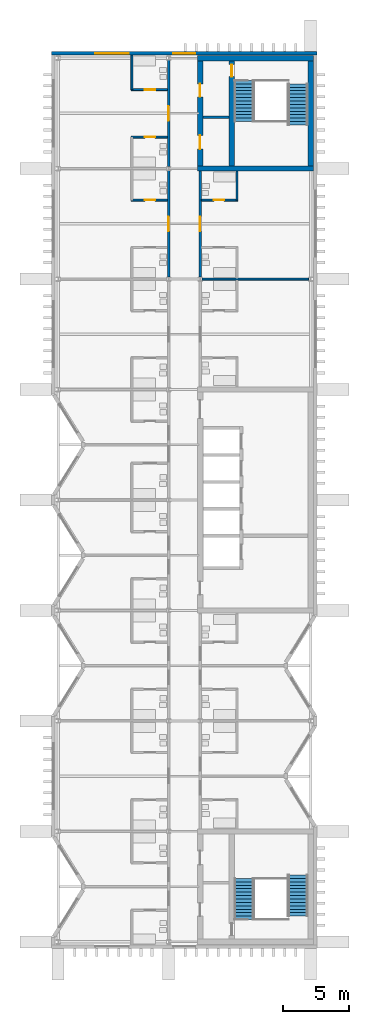
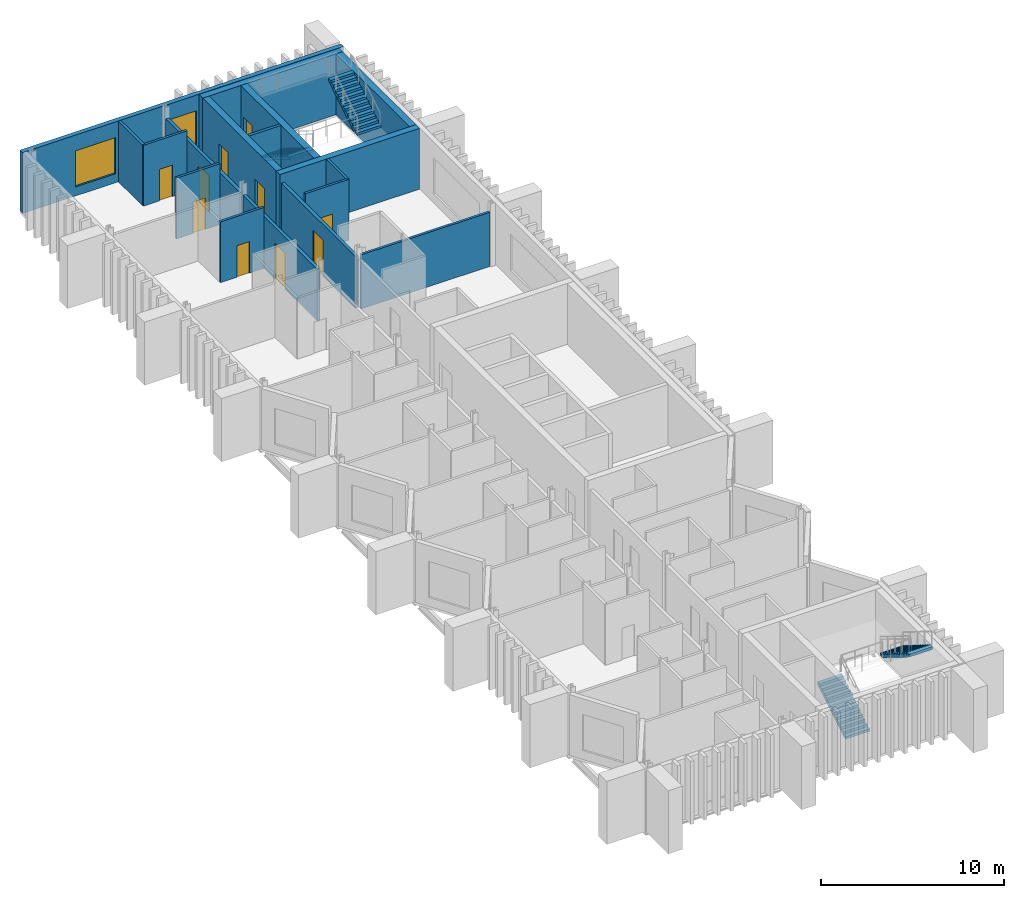
# One storey, part 8 of 10: 17 walls, 10 doors, 4 stair flights, 2 windows, 12 openings, 2 elements without a shape of their own.
"""IFC4 building model written with IfcOpenShell, lengths in metres."""

from ifc_helpers import new_model, si_unit, direction, frame, frame_2d, origin, place, context, subcontext, project, spatial, polyline, rectangle, outline, extrude, material, layer, layer_set, type_object, element, fill, aggregate, save


model = new_model("IFC4")

# Units and contexts
model_context = context("Model", 3, precision=1e-05, world=origin(), true_north=direction((0.0, 1.0)))
body_context = subcontext(model_context, "Body", "Model", "MODEL_VIEW")
ifc_project = project(units=[si_unit("LENGTHUNIT", "METRE"), si_unit("AREAUNIT", "SQUARE_METRE"), si_unit("VOLUMEUNIT", "CUBIC_METRE"), si_unit("PLANEANGLEUNIT", "RADIAN"), si_unit("MASSUNIT", "GRAM", prefix="KILO")], contexts=[model_context])

# Site, building, storey
site_placement = place(None, origin())
site = spatial("IfcSite", under=ifc_project, at=site_placement, CompositionType="ELEMENT")
building_placement = place(site_placement, origin())
building = spatial("IfcBuilding", under=site, at=building_placement, Name="Cresset Court Congress Hotel", CompositionType="ELEMENT")
storey_placement = place(building_placement, frame((0.0, 0.0, 56.39990234375)))
storey = spatial("IfcBuildingStorey", under=building, at=storey_placement, Name="L13", CompositionType="ELEMENT", Elevation=56.39990234375)

# Wall, opening, door
ifc_material_1 = material(Name="Gypsum board partition")
ifc_layer_1 = layer(ifc_material_1, 0.199951171875)
ifc_layer_set_1 = layer_set([ifc_layer_1], Name="Corridor wall 200")
wall_type_1 = type_object("IfcWallType", Name="Corridor wall 200", PredefinedType="PARTITIONING", material=ifc_layer_set_1)
wall_1_placement = place(storey_placement, frame((165.60009765625, 50.550048828125, 0.0), z_axis=(0.0, 0.0, 1.0), x_axis=(0.0, 1.0, 0.0)))
wall_1 = element("IfcWall", 1, at=wall_1_placement, inside=storey, type_object=wall_type_1, Name="A.wl.L13.070", PredefinedType="PARTITIONING", context=body_context, shape_type="SweptSolid", body=[
    extrude(rectangle(XDim=8.099853515625, YDim=0.199951171875, at=frame_2d((4.0498046875, 0.0))), origin(), (0.0, 0.0, 1.0), 3.4501953125),
])
opening_1_placement = place(wall_1_placement, frame((3.5, 0.0, 0.0)))
opening_1 = element("IfcOpeningElement", 2, at=opening_1_placement, cuts=wall_1, Name="Opening DA-13-25", PredefinedType="OPENING", context=body_context, shape_type="SweptSolid", body=[
    extrude(rectangle(XDim=1.10009765625, YDim=2.39990234375, at=frame_2d((0.550048828125, 1.199951171875))), frame((0.0, 0.10986328125, 0.0), z_axis=(0.0, -1.0, 0.0), x_axis=(1.0, 0.0, 0.0)), (0.0, 0.0, 1.0), 0.219970703125),
])
ifc_material_2 = material(Name="timber", Category="wood")
door_type_1 = type_object("IfcDoorType", Name="Suite entrance door 1100x2400 FD30S", OperationType="SINGLE_SWING_LEFT", PredefinedType="DOOR", material=ifc_material_2)
door_1_placement = place(opening_1_placement, origin())
door_1 = element("IfcDoor", 3, at=door_1_placement, inside=storey, type_object=door_type_1, Name="Door DA-13-25", OperationType="SINGLE_SWING_RIGHT", OverallHeight=2.39990234375, OverallWidth=1.10009765625, PredefinedType="DOOR", context=body_context, shape_type="SweptSolid", body=[
    extrude(rectangle(XDim=1.10009765625, YDim=2.39990234375, at=frame_2d((0.550048828125, 1.199951171875))), frame((0.0, 0.02490234375, 0.0), z_axis=(0.0, -1.0, 0.0), x_axis=(1.0, 0.0, 0.0)), (0.0, 0.0, 1.0), 0.050048828125),
])
fill(opening_1, door_1)

wall_2_placement = place(storey_placement, frame((165.60009765625, 58.949951171875, 0.0), z_axis=(0.0, 0.0, 1.0), x_axis=(0.0, 1.0, 0.0)))
wall_2 = element("IfcWall", 4, at=wall_2_placement, inside=storey, type_object=wall_type_1, Name="A.wl.L13.071", PredefinedType="PARTITIONING", context=body_context, shape_type="SweptSolid", body=[
    extrude(rectangle(XDim=8.10009765625, YDim=0.199951171875, at=frame_2d((4.050048828125, 0.0))), origin(), (0.0, 0.0, 1.0), 3.4501953125),
])
opening_2_placement = place(wall_2_placement, frame((3.5, 0.0, 0.0)))
opening_2 = element("IfcOpeningElement", 5, at=opening_2_placement, cuts=wall_2, Name="Opening DA-13-28", PredefinedType="OPENING", context=body_context, shape_type="SweptSolid", body=[
    extrude(rectangle(XDim=1.10009765625, YDim=2.39990234375, at=frame_2d((0.550048828125, 1.199951171875))), frame((0.0, 0.10986328125, 0.0), z_axis=(0.0, -1.0, 0.0), x_axis=(1.0, 0.0, 0.0)), (0.0, 0.0, 1.0), 0.219970703125),
])
door_2_placement = place(opening_2_placement, origin())
door_2 = element("IfcDoor", 6, at=door_2_placement, inside=storey, type_object=door_type_1, Name="Door DA-13-28", OperationType="SINGLE_SWING_RIGHT", OverallHeight=2.39990234375, OverallWidth=1.10009765625, PredefinedType="DOOR", context=body_context, shape_type="SweptSolid", body=[
    extrude(rectangle(XDim=1.10009765625, YDim=2.39990234375, at=frame_2d((0.550048828125, 1.199951171875))), frame((0.0, 0.02490234375, 0.0), z_axis=(0.0, -1.0, 0.0), x_axis=(1.0, 0.0, 0.0)), (0.0, 0.0, 1.0), 0.050048828125),
])
fill(opening_2, door_2)

wall_3_placement = place(storey_placement, frame((168.0, 50.550048828125, 0.0), z_axis=(0.0, 0.0, 1.0), x_axis=(0.0, 1.0, 0.0)))
wall_3 = element("IfcWall", 7, at=wall_3_placement, inside=storey, type_object=wall_type_1, Name="A.wl.L13.075", PredefinedType="PARTITIONING", context=body_context, shape_type="SweptSolid", body=[
    extrude(rectangle(XDim=8.050048828125, YDim=0.199951171875, at=frame_2d((4.02490234375, 0.0))), origin(), (0.0, 0.0, 1.0), 3.4501953125),
])
opening_3_placement = place(wall_3_placement, frame((3.5, 0.0, 0.0)))
opening_3 = element("IfcOpeningElement", 8, at=opening_3_placement, cuts=wall_3, Name="Opening DA-13-42", PredefinedType="OPENING", context=body_context, shape_type="SweptSolid", body=[
    extrude(rectangle(XDim=1.10009765625, YDim=2.39990234375, at=frame_2d((0.550048828125, 1.199951171875))), frame((0.0, 0.10986328125, 0.0), z_axis=(0.0, -1.0, 0.0), x_axis=(1.0, 0.0, 0.0)), (0.0, 0.0, 1.0), 0.219970703125),
])
door_3_placement = place(opening_3_placement, origin())
door_3 = element("IfcDoor", 9, at=door_3_placement, inside=storey, type_object=door_type_1, Name="Door DA-13-42", OperationType="SINGLE_SWING_RIGHT", OverallHeight=2.39990234375, OverallWidth=1.10009765625, PredefinedType="DOOR", context=body_context, shape_type="SweptSolid", body=[
    extrude(rectangle(XDim=1.10009765625, YDim=2.39990234375, at=frame_2d((0.550048828125, 1.199951171875))), frame((0.0, 0.02490234375, 0.0), z_axis=(0.0, -1.0, 0.0), x_axis=(1.0, 0.0, 0.0)), (0.0, 0.0, 1.0), 0.050048828125),
])
fill(opening_3, door_3)

ifc_material_3 = material(Name="Gypsum board partition")
ifc_layer_2 = layer(ifc_material_3, 0.14990234375)
ifc_layer_set_2 = layer_set([ifc_layer_2], Name="En-suite wall 150")
wall_type_2 = type_object("IfcWallType", Name="En-suite wall 150", PredefinedType="PARTITIONING", material=ifc_layer_set_2)
wall_4_placement = place(storey_placement, frame((162.75, 56.39990234375, 0.0), z_axis=(0.0, 0.0, 1.0), x_axis=(1.0, 0.0, 0.0)))
wall_4 = element("IfcWall", 10, at=wall_4_placement, inside=storey, type_object=wall_type_2, Name="A.wl.L13.028", PredefinedType="PARTITIONING", context=body_context, shape_type="SweptSolid", body=[
    extrude(rectangle(XDim=2.75, YDim=0.14990234375, at=frame_2d((1.375, 0.0))), origin(), (0.0, 0.0, 1.0), 4.050048828125),
])
opening_4_placement = place(wall_4_placement, frame((1.030029296875, 0.0, 0.0)))
opening_4 = element("IfcOpeningElement", 11, at=opening_4_placement, cuts=wall_4, Name="Opening DA-13-24", PredefinedType="OPENING", context=body_context, shape_type="SweptSolid", body=[
    extrude(rectangle(XDim=0.800048828125, YDim=2.10009765625, at=frame_2d((0.39990234375, 1.050048828125))), frame((0.0, 0.0849609375, 0.0), z_axis=(0.0, -1.0, 0.0), x_axis=(1.0, 0.0, 0.0)), (0.0, 0.0, 1.0), 0.169921875),
])
ifc_material_4 = material(Name="timber", Category="wood")
door_type_2 = type_object("IfcDoorType", Name="En-suite door 800x2100", OperationType="SINGLE_SWING_LEFT", PredefinedType="DOOR", material=ifc_material_4)
door_4_placement = place(opening_4_placement, origin())
door_4 = element("IfcDoor", 12, at=door_4_placement, inside=storey, type_object=door_type_2, Name="Door DA-13-24", OperationType="SINGLE_SWING_LEFT", OverallHeight=2.10009765625, OverallWidth=0.800048828125, PredefinedType="DOOR", context=body_context, shape_type="SweptSolid", body=[
    extrude(rectangle(XDim=0.800048828125, YDim=2.10009765625, at=frame_2d((0.39990234375, 1.050048828125))), frame((0.0, 0.02490234375, 0.0), z_axis=(0.0, -1.0, 0.0), x_axis=(1.0, 0.0, 0.0)), (0.0, 0.0, 1.0), 0.050048828125),
])
fill(opening_4, door_4)

wall_5_placement = place(storey_placement, frame((162.75, 61.199951171875, 0.0), z_axis=(0.0, 0.0, 1.0), x_axis=(1.0, 0.0, 0.0)))
wall_5 = element("IfcWall", 13, at=wall_5_placement, inside=storey, type_object=wall_type_2, Name="A.wl.L13.030", PredefinedType="PARTITIONING", context=body_context, shape_type="SweptSolid", body=[
    extrude(rectangle(XDim=2.75, YDim=0.14990234375, at=frame_2d((1.375, 0.0))), origin(), (0.0, 0.0, 1.0), 4.050048828125),
])
opening_5_placement = place(wall_5_placement, frame((1.030029296875, 0.0, 0.0)))
opening_5 = element("IfcOpeningElement", 14, at=opening_5_placement, cuts=wall_5, Name="Opening DA-13-26", PredefinedType="OPENING", context=body_context, shape_type="SweptSolid", body=[
    extrude(rectangle(XDim=0.800048828125, YDim=2.10009765625, at=frame_2d((0.39990234375, 1.050048828125))), frame((0.0, 0.0849609375, 0.0), z_axis=(0.0, -1.0, 0.0), x_axis=(1.0, 0.0, 0.0)), (0.0, 0.0, 1.0), 0.169921875),
])
door_5_placement = place(opening_5_placement, origin())
door_5 = element("IfcDoor", 15, at=door_5_placement, inside=storey, type_object=door_type_2, Name="Door DA-13-26", OperationType="SINGLE_SWING_RIGHT", OverallHeight=2.10009765625, OverallWidth=0.800048828125, PredefinedType="DOOR", context=body_context, shape_type="SweptSolid", body=[
    extrude(rectangle(XDim=0.800048828125, YDim=2.10009765625, at=frame_2d((0.39990234375, 1.050048828125))), frame((0.0, 0.02490234375, 0.0), z_axis=(0.0, -1.0, 0.0), x_axis=(1.0, 0.0, 0.0)), (0.0, 0.0, 1.0), 0.050048828125),
])
fill(opening_5, door_5)

# Wall
wall_6_placement = place(storey_placement, frame((162.800048828125, 64.800048828125, 0.0), z_axis=(0.0, 0.0, 1.0), x_axis=(0.0, 1.0, 0.0)))
element("IfcWall", 16, at=wall_6_placement, inside=storey, type_object=wall_type_2, Name="A.wl.L13.031", PredefinedType="PARTITIONING", context=body_context, shape_type="SweptSolid", body=[
    extrude(rectangle(XDim=2.619873046875, YDim=0.14990234375, at=frame_2d((1.31005859375, 0.0))), origin(), (0.0, 0.0, 1.0), 4.050048828125),
])

# Wall, opening, door
wall_7_placement = place(storey_placement, frame((162.75, 64.800048828125, 0.0), z_axis=(0.0, 0.0, 1.0), x_axis=(1.0, 0.0, 0.0)))
wall_7 = element("IfcWall", 17, at=wall_7_placement, inside=storey, type_object=wall_type_2, Name="A.wl.L13.032", PredefinedType="PARTITIONING", context=body_context, shape_type="SweptSolid", body=[
    extrude(rectangle(XDim=2.75, YDim=0.14990234375, at=frame_2d((1.375, 0.0))), origin(), (0.0, 0.0, 1.0), 4.050048828125),
])
opening_6_placement = place(wall_7_placement, frame((1.030029296875, 0.0, 0.0)))
opening_6 = element("IfcOpeningElement", 18, at=opening_6_placement, cuts=wall_7, Name="Opening DA-13-27", PredefinedType="OPENING", context=body_context, shape_type="SweptSolid", body=[
    extrude(rectangle(XDim=0.800048828125, YDim=2.10009765625, at=frame_2d((0.39990234375, 1.050048828125))), frame((0.0, 0.0849609375, 0.0), z_axis=(0.0, -1.0, 0.0), x_axis=(1.0, 0.0, 0.0)), (0.0, 0.0, 1.0), 0.169921875),
])
door_6_placement = place(opening_6_placement, origin())
door_6 = element("IfcDoor", 19, at=door_6_placement, inside=storey, type_object=door_type_2, Name="Door DA-13-27", OperationType="SINGLE_SWING_LEFT", OverallHeight=2.10009765625, OverallWidth=0.800048828125, PredefinedType="DOOR", context=body_context, shape_type="SweptSolid", body=[
    extrude(rectangle(XDim=0.800048828125, YDim=2.10009765625, at=frame_2d((0.39990234375, 1.050048828125))), frame((0.0, 0.02490234375, 0.0), z_axis=(0.0, -1.0, 0.0), x_axis=(1.0, 0.0, 0.0)), (0.0, 0.0, 1.0), 0.050048828125),
])
fill(opening_6, door_6)

# Wall
wall_8_placement = place(storey_placement, frame((170.800048828125, 56.39990234375, 0.0), z_axis=(0.0, 0.0, 1.0), x_axis=(0.0, 1.0, 0.0)))
element("IfcWall", 20, at=wall_8_placement, inside=storey, type_object=wall_type_2, Name="A.wl.L13.047", PredefinedType="PARTITIONING", context=body_context, shape_type="SweptSolid", body=[
    extrude(rectangle(XDim=2.2001953125, YDim=0.14990234375, at=frame_2d((1.10009765625, 0.0))), origin(), (0.0, 0.0, 1.0), 4.050048828125),
])

# Wall, opening, door
wall_9_placement = place(storey_placement, frame((170.85009765625, 56.39990234375, 0.0), z_axis=(0.0, 0.0, 1.0), x_axis=(-1.0, 0.0, 0.0)))
wall_9 = element("IfcWall", 21, at=wall_9_placement, inside=storey, type_object=wall_type_2, Name="A.wl.L13.048", PredefinedType="PARTITIONING", context=body_context, shape_type="SweptSolid", body=[
    extrude(rectangle(XDim=2.75, YDim=0.14990234375, at=frame_2d((1.375, 0.0))), origin(), (0.0, 0.0, 1.0), 4.050048828125),
])
opening_7_placement = place(wall_9_placement, frame((1.030029296875, 0.0, 0.0)))
opening_7 = element("IfcOpeningElement", 22, at=opening_7_placement, cuts=wall_9, Name="Opening DA-13-41", PredefinedType="OPENING", context=body_context, shape_type="SweptSolid", body=[
    extrude(rectangle(XDim=0.800048828125, YDim=2.10009765625, at=frame_2d((0.39990234375, 1.050048828125))), frame((0.0, 0.0849609375, 0.0), z_axis=(0.0, -1.0, 0.0), x_axis=(1.0, 0.0, 0.0)), (0.0, 0.0, 1.0), 0.169921875),
])
door_7_placement = place(opening_7_placement, origin())
door_7 = element("IfcDoor", 23, at=door_7_placement, inside=storey, type_object=door_type_2, Name="Door DA-13-41", OperationType="SINGLE_SWING_LEFT", OverallHeight=2.10009765625, OverallWidth=0.800048828125, PredefinedType="DOOR", context=body_context, shape_type="SweptSolid", body=[
    extrude(rectangle(XDim=0.800048828125, YDim=2.10009765625, at=frame_2d((0.39990234375, 1.050048828125))), frame((0.0, 0.02490234375, 0.0), z_axis=(0.0, -1.0, 0.0), x_axis=(1.0, 0.0, 0.0)), (0.0, 0.0, 1.0), 0.050048828125),
])
fill(opening_7, door_7)

# Wall, openings, windows
ifc_material_5 = material(Name="Precast concrete C50", Category="concrete")
ifc_layer_3 = layer(ifc_material_5, 0.280029296875)
ifc_layer_set_3 = layer_set([ifc_layer_3], Name="Gable end wall 280")
wall_type_3 = type_object("IfcWallType", Name="Gable end wall 280", PredefinedType="SOLIDWALL", material=ifc_layer_set_3)
wall_10_placement = place(storey_placement, frame((156.699951171875, 67.56005859375, 0.0), z_axis=(0.0, 0.0, 1.0), x_axis=(1.0, 0.0, 0.0)))
wall_10 = element("IfcWall", 24, at=wall_10_placement, inside=storey, type_object=wall_type_3, Name="A.ew.L13.N.1", PredefinedType="SOLIDWALL", context=body_context, shape_type="SweptSolid", body=[
    extrude(rectangle(XDim=20.199951171875, YDim=0.280029296875, at=frame_2d((10.10009765625, 0.0))), origin(), (0.0, 0.0, 1.0), 4.050048828125),
])
opening_8_placement = place(wall_10_placement, frame((9.260009765625, 0.0, 0.60009765625)))
opening_8 = element("IfcOpeningElement", 25, at=opening_8_placement, cuts=wall_10, Name="Opening NA-13-21", PredefinedType="OPENING", context=body_context, shape_type="SweptSolid", body=[
    extrude(rectangle(XDim=1.679931640625, YDim=2.39990234375, at=frame_2d((0.83984375, 1.199951171875))), frame((0.0, 0.14990234375, 0.0), z_axis=(0.0, -1.0, 0.0), x_axis=(1.0, 0.0, 0.0)), (0.0, 0.0, 1.0), 0.300048828125),
])
opening_9_placement = place(wall_10_placement, frame((3.340087890625, 0.0, 0.60009765625)))
opening_9 = element("IfcOpeningElement", 26, at=opening_9_placement, cuts=wall_10, Name="Opening NA-13-22", PredefinedType="OPENING", context=body_context, shape_type="SweptSolid", body=[
    extrude(rectangle(XDim=2.52001953125, YDim=2.39990234375, at=frame_2d((1.260009765625, 1.199951171875))), frame((0.0, 0.14990234375, 0.0), z_axis=(0.0, -1.0, 0.0), x_axis=(1.0, 0.0, 0.0)), (0.0, 0.0, 1.0), 0.300048828125),
])
ifc_material_6 = material(Name="Aluminium and glass", Category="aluminium")
window_type_1 = type_object("IfcWindowType", Name="Window 1680x2400", PartitioningType="SINGLE_PANEL", PredefinedType="WINDOW", material=ifc_material_6)
window_1_placement = place(opening_8_placement, origin())
window_1 = element("IfcWindow", 27, at=window_1_placement, inside=storey, type_object=window_type_1, Name="Window NA-13-21", OverallHeight=2.39990234375, OverallWidth=1.679931640625, PartitioningType="SINGLE_PANEL", PredefinedType="WINDOW", context=body_context, shape_type="SweptSolid", body=[
    extrude(rectangle(XDim=1.679931640625, YDim=2.39990234375, at=frame_2d((0.83984375, 1.199951171875))), frame((0.0, 0.030029296875, 0.0), z_axis=(0.0, -1.0, 0.0), x_axis=(1.0, 0.0, 0.0)), (0.0, 0.0, 1.0), 0.06005859375),
])
fill(opening_8, window_1)
ifc_material_7 = material(Name="Aluminium and glass", Category="aluminium")
window_type_2 = type_object("IfcWindowType", Name="Window 2520x2400", PartitioningType="SINGLE_PANEL", PredefinedType="WINDOW", material=ifc_material_7)
window_2_placement = place(opening_9_placement, origin())
window_2 = element("IfcWindow", 28, at=window_2_placement, inside=storey, type_object=window_type_2, Name="Window NA-13-22", OverallHeight=2.39990234375, OverallWidth=2.52001953125, PartitioningType="SINGLE_PANEL", PredefinedType="WINDOW", context=body_context, shape_type="SweptSolid", body=[
    extrude(rectangle(XDim=2.52001953125, YDim=2.39990234375, at=frame_2d((1.260009765625, 1.199951171875))), frame((0.0, 0.030029296875, 0.0), z_axis=(0.0, -1.0, 0.0), x_axis=(1.0, 0.0, 0.0)), (0.0, 0.0, 1.0), 0.06005859375),
])
fill(opening_9, window_2)

# Walls
ifc_material_8 = material(Name="Gypsum board partition")
ifc_layer_4 = layer(ifc_material_8, 0.14990234375)
ifc_layer_set_4 = layer_set([ifc_layer_4], Name="Guest-room partition 150")
wall_type_4 = type_object("IfcWallType", Name="Guest-room partition 150", PredefinedType="PARTITIONING", material=ifc_layer_set_4)
wall_11_placement = place(storey_placement, frame((168.14990234375, 50.39990234375, 0.0), z_axis=(0.0, 0.0, 1.0), x_axis=(1.0, 0.0, 0.0)))
element("IfcWall", 29, at=wall_11_placement, inside=storey, type_object=wall_type_4, Name="A.wl.L13.057", PredefinedType="PARTITIONING", context=body_context, shape_type="SweptSolid", body=[
    extrude(rectangle(XDim=8.10009765625, YDim=0.14990234375, at=frame_2d((4.050048828125, 0.0))), origin(), (0.0, 0.0, 1.0), 3.60400390625),
])
ifc_material_9 = material(Name="Concrete block wall", Category="concrete")
ifc_layer_5 = layer(ifc_material_9, 0.175048828125)
ifc_layer_set_5 = layer_set([ifc_layer_5], Name="Riser shaft wall 175")
wall_type_5 = type_object("IfcWallType", Name="Riser shaft wall 175", PredefinedType="PARTITIONING", material=ifc_layer_set_5)
wall_12_placement = place(storey_placement, frame((168.199951171875, 62.699951171875, 0.0), z_axis=(0.0, 0.0, 1.0), x_axis=(1.0, 0.0, 0.0)))
element("IfcWall", 30, at=wall_12_placement, inside=storey, type_object=wall_type_5, Name="A.wl.L13.079", PredefinedType="PARTITIONING", context=body_context, shape_type="SweptSolid", body=[
    extrude(rectangle(XDim=2.0, YDim=0.175048828125, at=frame_2d((1.0, 0.0))), origin(), (0.0, 0.0, 1.0), 4.050048828125),
])
ifc_material_10 = material(Name="Concrete C50", Category="concrete")
ifc_layer_6 = layer(ifc_material_10, 0.39990234375)
ifc_layer_set_6 = layer_set([ifc_layer_6], Name="Stair core wall 400")
wall_type_6 = type_object("IfcWallType", Name="Stair core wall 400", PredefinedType="SOLIDWALL", material=ifc_layer_set_6)
for number, where, z_axis, x_axis, name in (
    (31, (167.800048828125, 58.800048828125, 0.0), (0.0, 0.0, 1.0), (1.0, 0.0, 0.0), "A.cw.ST-A2.L13.S"),
    (32, (167.800048828125, 67.199951171875, 0.0), (0.0, 0.0, 1.0), (1.0, 0.0, 0.0), "A.cw.ST-A2.L13.N"),
):
    element("IfcWall", number, at=place(storey_placement, frame(where, z_axis=z_axis, x_axis=x_axis)), inside=storey, type_object=wall_type_6, Name=name, PredefinedType="SOLIDWALL", context=body_context, shape_type="SweptSolid", body=[
        extrude(rectangle(XDim=8.800048828125, YDim=0.39990234375, at=frame_2d((4.39990234375, 0.0))), origin(), (0.0, 0.0, 1.0), 4.050048828125),
    ])

# Wall, openings, doors
wall_13_placement = place(storey_placement, frame((168.0, 59.0, 0.0), z_axis=(0.0, 0.0, 1.0), x_axis=(0.0, 1.0, 0.0)))
wall_13 = element("IfcWall", 33, at=wall_13_placement, inside=storey, type_object=wall_type_6, Name="A.cw.ST-A2.L13.W", PredefinedType="SOLIDWALL", context=body_context, shape_type="SweptSolid", body=[
    extrude(rectangle(XDim=8.0, YDim=0.39990234375, at=frame_2d((4.0, 0.0))), origin(), (0.0, 0.0, 1.0), 4.050048828125),
])
opening_10_placement = place(wall_13_placement, frame((5.25, 0.0, 0.0)))
opening_10 = element("IfcOpeningElement", 34, at=opening_10_placement, cuts=wall_13, Name="Opening DA-13-47", PredefinedType="OPENING", context=body_context, shape_type="SweptSolid", body=[
    extrude(rectangle(XDim=1.0, YDim=2.10009765625, at=frame_2d((0.5, 1.050048828125))), frame((0.0, 0.2099609375, 0.0), z_axis=(0.0, -1.0, 0.0), x_axis=(1.0, 0.0, 0.0)), (0.0, 0.0, 1.0), 0.419921875),
])
opening_11_placement = place(wall_13_placement, frame((1.27490234375, 0.0, 0.0)))
opening_11 = element("IfcOpeningElement", 35, at=opening_11_placement, cuts=wall_13, Name="Opening DA-13-48", PredefinedType="OPENING", context=body_context, shape_type="SweptSolid", body=[
    extrude(rectangle(XDim=1.050048828125, YDim=2.10009765625, at=frame_2d((0.52490234375, 1.050048828125))), frame((0.0, 0.2099609375, 0.0), z_axis=(0.0, -1.0, 0.0), x_axis=(1.0, 0.0, 0.0)), (0.0, 0.0, 1.0), 0.419921875),
])
ifc_material_11 = material(Name="steel", Category="steel")
door_type_3 = type_object("IfcDoorType", Name="Housekeeping room door 1050x2100 FD30", OperationType="SINGLE_SWING_LEFT", PredefinedType="DOOR", material=ifc_material_11)
door_8_placement = place(opening_11_placement, origin())
door_8 = element("IfcDoor", 36, at=door_8_placement, inside=storey, type_object=door_type_3, Name="Door DA-13-48", OperationType="SINGLE_SWING_RIGHT", OverallHeight=2.10009765625, OverallWidth=1.050048828125, PredefinedType="DOOR", context=body_context, shape_type="SweptSolid", body=[
    extrude(rectangle(XDim=1.050048828125, YDim=2.10009765625, at=frame_2d((0.52490234375, 1.050048828125))), frame((0.0, 0.02490234375, 0.0), z_axis=(0.0, -1.0, 0.0), x_axis=(1.0, 0.0, 0.0)), (0.0, 0.0, 1.0), 0.050048828125),
])
fill(opening_11, door_8)
ifc_material_12 = material(Name="steel", Category="steel")
door_type_4 = type_object("IfcDoorType", Name="Lobby door 1000x2100 FD60", OperationType="SINGLE_SWING_LEFT", PredefinedType="DOOR", material=ifc_material_12)
door_9_placement = place(opening_10_placement, origin())
door_9 = element("IfcDoor", 37, at=door_9_placement, inside=storey, type_object=door_type_4, Name="Door DA-13-47", OperationType="SINGLE_SWING_LEFT", OverallHeight=2.10009765625, OverallWidth=1.0, PredefinedType="DOOR", context=body_context, shape_type="SweptSolid", body=[
    extrude(rectangle(XDim=1.0, YDim=2.10009765625, at=frame_2d((0.5, 1.050048828125))), frame((0.0, 0.02490234375, 0.0), z_axis=(0.0, -1.0, 0.0), x_axis=(1.0, 0.0, 0.0)), (0.0, 0.0, 1.0), 0.050048828125),
])
fill(opening_10, door_9)

# Wall
wall_14_placement = place(storey_placement, frame((176.39990234375, 59.0, 0.0), z_axis=(0.0, 0.0, 1.0), x_axis=(0.0, 1.0, 0.0)))
element("IfcWall", 38, at=wall_14_placement, inside=storey, type_object=wall_type_6, Name="A.cw.ST-A2.L13.E", PredefinedType="SOLIDWALL", context=body_context, shape_type="SweptSolid", body=[
    extrude(rectangle(XDim=8.0, YDim=0.39990234375, at=frame_2d((4.0, 0.0))), origin(), (0.0, 0.0, 1.0), 4.050048828125),
])

# Wall, opening, door
wall_15_placement = place(storey_placement, frame((170.39990234375, 59.0, 0.0), z_axis=(0.0, 0.0, 1.0), x_axis=(0.0, 1.0, 0.0)))
wall_15 = element("IfcWall", 39, at=wall_15_placement, inside=storey, type_object=wall_type_6, Name="A.wl.L13.078", PredefinedType="SOLIDWALL", context=body_context, shape_type="SweptSolid", body=[
    extrude(rectangle(XDim=8.0, YDim=0.39990234375, at=frame_2d((4.0, 0.0))), origin(), (0.0, 0.0, 1.0), 4.050048828125),
])
opening_12_placement = place(wall_15_placement, frame((6.800048828125, 0.0, 0.0)))
opening_12 = element("IfcOpeningElement", 40, at=opening_12_placement, cuts=wall_15, Name="Opening DA-13-46", PredefinedType="OPENING", context=body_context, shape_type="SweptSolid", body=[
    extrude(rectangle(XDim=0.89990234375, YDim=2.10009765625, at=frame_2d((0.449951171875, 1.050048828125))), frame((0.0, 0.2099609375, 0.0), z_axis=(0.0, -1.0, 0.0), x_axis=(1.0, 0.0, 0.0)), (0.0, 0.0, 1.0), 0.419921875),
])
ifc_material_13 = material(Name="steel", Category="steel")
door_type_5 = type_object("IfcDoorType", Name="Stair door 900x2100 FD60", OperationType="SINGLE_SWING_LEFT", PredefinedType="DOOR", material=ifc_material_13)
door_10_placement = place(opening_12_placement, origin())
door_10 = element("IfcDoor", 41, at=door_10_placement, inside=storey, type_object=door_type_5, Name="Door DA-13-46", OperationType="SINGLE_SWING_RIGHT", OverallHeight=2.10009765625, OverallWidth=0.89990234375, PredefinedType="DOOR", context=body_context, shape_type="SweptSolid", body=[
    extrude(rectangle(XDim=0.89990234375, YDim=2.10009765625, at=frame_2d((0.449951171875, 1.050048828125))), frame((0.0, 0.02490234375, 0.0), z_axis=(0.0, -1.0, 0.0), x_axis=(1.0, 0.0, 0.0)), (0.0, 0.0, 1.0), 0.050048828125),
])
fill(opening_12, door_10)

# Stair, stair flights
ifc_material_14 = material(Name="Concrete C40", Category="concrete")
stair_type = type_object("IfcStairType", Name="Concrete dog-leg stair 5600", PredefinedType="HALF_TURN_STAIR", material=ifc_material_14)
stair_1_placement = place(storey_placement, origin())
stair_1 = element("IfcStair", 42, at=stair_1_placement, inside=storey, type_object=stair_type, Name="Stair A1 L13", PredefinedType="HALF_TURN_STAIR")
ifc_material_15 = material(Name="Concrete C40", Category="concrete")
stair_flight_type = type_object("IfcStairFlightType", Name="Concrete stair flight", PredefinedType="STRAIGHT", material=ifc_material_15)
stair_flight_1_placement = place(storey_placement, frame((171.35009765625, 1.699951171875, 0.0), z_axis=(0.0, 0.0, 1.0), x_axis=(0.0, 1.0, 0.0)))
stair_flight_1 = element("IfcStairFlight", 43, at=stair_flight_1_placement, type_object=stair_flight_type, Name="A-ST1 flight 1", NumberOfRisers=13, NumberOfTreads=12, PredefinedType="STRAIGHT", RiserHeight=0.161538462, TreadLength=0.26, context=body_context, shape_type="SweptSolid", body=[
    extrude(outline(polyline([(0.0, 0.0), (0.0, 0.16162109375), (0.260009765625, 0.16162109375), (0.260009765625, 0.322998046875), (0.52001953125, 0.322998046875), (0.52001953125, 0.484619140625), (0.780029296875, 0.484619140625), (0.780029296875, 0.646240234375), (1.0400390625, 0.646240234375), (1.0400390625, 0.8076171875), (1.300048828125, 0.8076171875), (1.300048828125, 0.96923828125), (1.56005859375, 0.96923828125), (1.56005859375, 1.130859375), (1.820068359375, 1.130859375), (1.820068359375, 1.292236328125), (2.080078125, 1.292236328125), (2.080078125, 1.453857421875), (2.340087890625, 1.453857421875), (2.340087890625, 1.615478515625), (2.60009765625, 1.615478515625), (2.60009765625, 1.77685546875), (2.860107421875, 1.77685546875), (2.860107421875, 1.9384765625), (3.1201171875, 1.9384765625), (3.1201171875, 2.10009765625), (3.1201171875, 1.761962890625), (0.283935546875, 0.0), (0.0, 0.0)])), frame((0.0, 0.75, 0.0), z_axis=(0.0, -1.0, 0.0), x_axis=(1.0, 0.0, 0.0)), (0.0, 0.0, 1.0), 1.5),
])
stair_flight_2_placement = place(storey_placement, frame((175.449951171875, 5.080078125, 2.10009765625), z_axis=(0.0, 0.0, 1.0), x_axis=(0.0, -1.0, 0.0)))
stair_flight_2 = element("IfcStairFlight", 44, at=stair_flight_2_placement, type_object=stair_flight_type, Name="A-ST1 flight 2", NumberOfRisers=13, NumberOfTreads=12, PredefinedType="STRAIGHT", RiserHeight=0.161538462, TreadLength=0.26, context=body_context, shape_type="SweptSolid", body=[
    extrude(outline(polyline([(0.0, 0.0), (0.0, 0.16162109375), (0.260009765625, 0.16162109375), (0.260009765625, 0.322998046875), (0.52001953125, 0.322998046875), (0.52001953125, 0.484619140625), (0.780029296875, 0.484619140625), (0.780029296875, 0.646240234375), (1.0400390625, 0.646240234375), (1.0400390625, 0.8076171875), (1.300048828125, 0.8076171875), (1.300048828125, 0.96923828125), (1.56005859375, 0.96923828125), (1.56005859375, 1.130859375), (1.820068359375, 1.130859375), (1.820068359375, 1.292236328125), (2.080078125, 1.292236328125), (2.080078125, 1.453857421875), (2.340087890625, 1.453857421875), (2.340087890625, 1.615478515625), (2.60009765625, 1.615478515625), (2.60009765625, 1.77685546875), (2.860107421875, 1.77685546875), (2.860107421875, 1.9384765625), (3.1201171875, 1.9384765625), (3.1201171875, 2.10009765625), (3.1201171875, 1.761962890625), (0.283935546875, 0.0), (0.0, 0.0)])), frame((0.0, 0.75, 0.0), z_axis=(0.0, -1.0, 0.0), x_axis=(1.0, 0.0, 0.0)), (0.0, 0.0, 1.0), 1.5),
])
aggregate(stair_1, [stair_flight_1, stair_flight_2])

stair_2_placement = place(storey_placement, origin())
stair_2 = element("IfcStair", 45, at=stair_2_placement, inside=storey, type_object=stair_type, Name="Stair A2 L13", PredefinedType="HALF_TURN_STAIR")
stair_flight_3_placement = place(storey_placement, frame((171.35009765625, 65.5, 0.0), z_axis=(0.0, 0.0, 1.0), x_axis=(0.0, -1.0, 0.0)))
stair_flight_3 = element("IfcStairFlight", 46, at=stair_flight_3_placement, type_object=stair_flight_type, Name="A-ST1 flight 1", NumberOfRisers=13, NumberOfTreads=12, PredefinedType="STRAIGHT", RiserHeight=0.161538462, TreadLength=0.26, context=body_context, shape_type="SweptSolid", body=[
    extrude(outline(polyline([(0.0, 0.0), (0.0, 0.16162109375), (0.260009765625, 0.16162109375), (0.260009765625, 0.322998046875), (0.52001953125, 0.322998046875), (0.52001953125, 0.484619140625), (0.780029296875, 0.484619140625), (0.780029296875, 0.646240234375), (1.0400390625, 0.646240234375), (1.0400390625, 0.8076171875), (1.300048828125, 0.8076171875), (1.300048828125, 0.96923828125), (1.56005859375, 0.96923828125), (1.56005859375, 1.130859375), (1.820068359375, 1.130859375), (1.820068359375, 1.292236328125), (2.080078125, 1.292236328125), (2.080078125, 1.453857421875), (2.340087890625, 1.453857421875), (2.340087890625, 1.615478515625), (2.60009765625, 1.615478515625), (2.60009765625, 1.77685546875), (2.860107421875, 1.77685546875), (2.860107421875, 1.9384765625), (3.1201171875, 1.9384765625), (3.1201171875, 2.10009765625), (3.1201171875, 1.761962890625), (0.283935546875, 0.0), (0.0, 0.0)])), frame((0.0, 0.75, 0.0), z_axis=(0.0, -1.0, 0.0), x_axis=(1.0, 0.0, 0.0)), (0.0, 0.0, 1.0), 1.5),
])
stair_flight_4_placement = place(storey_placement, frame((175.449951171875, 62.1201171875, 2.10009765625), z_axis=(0.0, 0.0, 1.0), x_axis=(0.0, 1.0, 0.0)))
stair_flight_4 = element("IfcStairFlight", 47, at=stair_flight_4_placement, type_object=stair_flight_type, Name="A-ST1 flight 2", NumberOfRisers=13, NumberOfTreads=12, PredefinedType="STRAIGHT", RiserHeight=0.161538462, TreadLength=0.26, context=body_context, shape_type="SweptSolid", body=[
    extrude(outline(polyline([(0.0, 0.0), (0.0, 0.16162109375), (0.260009765625, 0.16162109375), (0.260009765625, 0.322998046875), (0.52001953125, 0.322998046875), (0.52001953125, 0.484619140625), (0.780029296875, 0.484619140625), (0.780029296875, 0.646240234375), (1.0400390625, 0.646240234375), (1.0400390625, 0.8076171875), (1.300048828125, 0.8076171875), (1.300048828125, 0.96923828125), (1.56005859375, 0.96923828125), (1.56005859375, 1.130859375), (1.820068359375, 1.130859375), (1.820068359375, 1.292236328125), (2.080078125, 1.292236328125), (2.080078125, 1.453857421875), (2.340087890625, 1.453857421875), (2.340087890625, 1.615478515625), (2.60009765625, 1.615478515625), (2.60009765625, 1.77685546875), (2.860107421875, 1.77685546875), (2.860107421875, 1.9384765625), (3.1201171875, 1.9384765625), (3.1201171875, 2.10009765625), (3.1201171875, 1.761962890625), (0.283935546875, 0.0), (0.0, 0.0)])), frame((0.0, 0.75, 0.0), z_axis=(0.0, -1.0, 0.0), x_axis=(1.0, 0.0, 0.0)), (0.0, 0.0, 1.0), 1.5),
])
aggregate(stair_2, [stair_flight_3, stair_flight_4])

save(model, "model.ifc")
